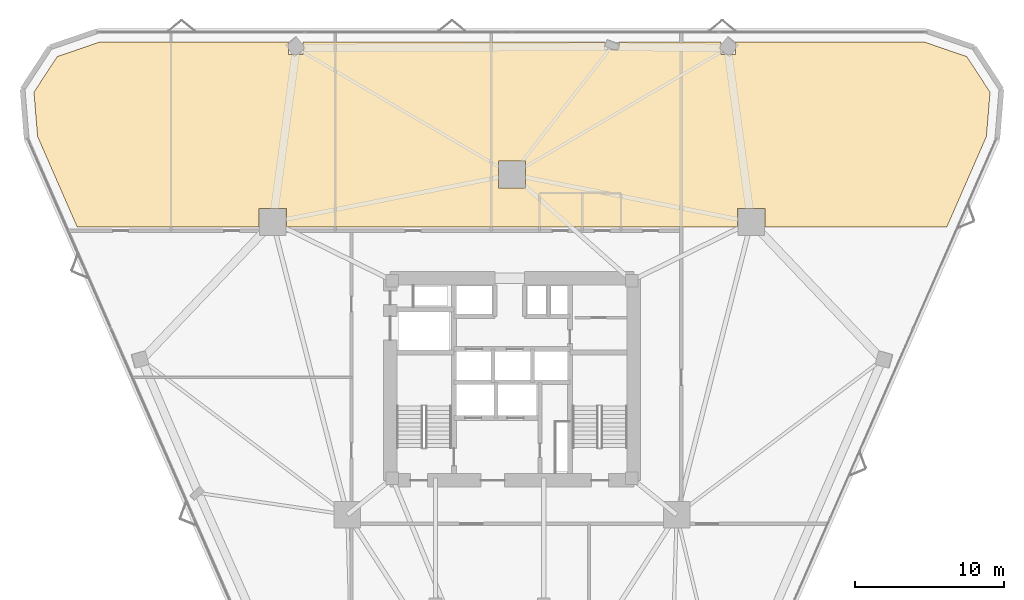
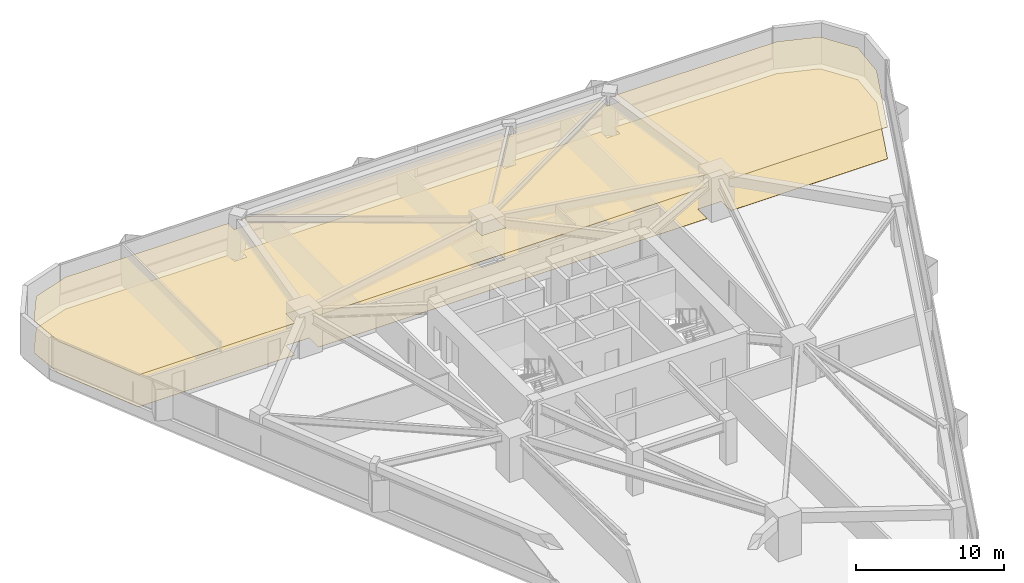
# One storey, part 21 of 21: 2 coverings.
"""IFC4 building model written with IfcOpenShell, lengths in metres."""

from ifc_helpers import new_model, si_unit, direction, frame, origin, place, context, subcontext, project, spatial, polyline, outline, extrude, material, layer, layer_set, type_object, element, save


model = new_model("IFC4")

# Units and contexts
model_context = context("Model", 3, precision=1e-05, world=origin(), true_north=direction((0.0, 1.0)))
body_context = subcontext(model_context, "Body", "Model", "MODEL_VIEW")
ifc_project = project(units=[si_unit("LENGTHUNIT", "METRE"), si_unit("AREAUNIT", "SQUARE_METRE"), si_unit("VOLUMEUNIT", "CUBIC_METRE"), si_unit("PLANEANGLEUNIT", "RADIAN"), si_unit("MASSUNIT", "GRAM", prefix="KILO")], contexts=[model_context])

# Site, building, storey
site_placement = place(None, origin())
site = spatial("IfcSite", under=ifc_project, at=site_placement, CompositionType="ELEMENT")
building_placement = place(site_placement, origin())
building = spatial("IfcBuilding", under=site, at=building_placement, Name="Talyreon Biosciences Tower", CompositionType="ELEMENT")
storey_placement = place(building_placement, frame((0.0, 0.0, 55.64990234375)))
storey = spatial("IfcBuildingStorey", under=building, at=storey_placement, Name="L14", CompositionType="ELEMENT", Elevation=55.64990234375)

# Coverings
ifc_material_1 = material(Name="Cleanable acoustic mineral-fibre ceiling tile", Category="gypsum")
ifc_layer_1 = layer(ifc_material_1, 0.0400390625)
ifc_layer_set_1 = layer_set([ifc_layer_1], Name="Cleanable acoustic mineral-fibre ceiling tile")
covering_type_1 = type_object("IfcCoveringType", Name="AcousticCleanroomCeiling_40", PredefinedType="CEILING", material=ifc_layer_set_1)
covering_1_placement = place(storey_placement, frame((0.0, 0.0, 2.614990234375)))
element("IfcCovering", 1, at=covering_1_placement, inside=storey, type_object=covering_type_1, Name="L14 Acoustic Laboratory Ceiling", PredefinedType="CEILING", context=body_context, shape_type="SweptSolid", body=[
    extrude(outline(polyline([(33.81298828125, 87.337890625), (35.378662109375, 89.732421875), (38.209716796875, 90.703857421875), (50.945068359375, 90.703857421875), (50.945068359375, 89.875), (51.925048828125, 89.875), (51.925048828125, 90.703857421875), (72.25732421875, 90.703857421875), (72.25732421875, 90.22509765625), (73.187255859375, 90.22509765625), (73.187255859375, 90.703857421875), (80.074951171875, 90.703857421875), (80.074951171875, 89.875), (81.054931640625, 89.875), (81.054931640625, 90.703857421875), (93.790283203125, 90.703857421875), (96.621337890625, 89.732421875), (98.18701171875, 87.337890625), (97.94189453125, 84.35498046875), (95.269775390625, 78.25), (83.017333984375, 78.25), (83.017333984375, 79.513671875), (81.1875, 79.513671875), (81.1875, 78.25), (50.8125, 78.25), (50.8125, 79.513671875), (48.982666015625, 79.513671875), (48.982666015625, 78.25), (36.730224609375, 78.25), (34.05810546875, 84.35498046875), (33.81298828125, 87.337890625)]), holes=[polyline([(65.0849609375, 80.873779296875), (66.9150390625, 80.873779296875), (66.9150390625, 82.703857421875), (65.0849609375, 82.703857421875), (65.0849609375, 80.873779296875)])]), origin(), (0.0, 0.0, 1.0), 0.0400390625),
])
ifc_material_2 = material(Name="Chemical-resistant seamless epoxy resin flooring", Category="plastic")
ifc_layer_2 = layer(ifc_material_2, 0.014892578125)
ifc_layer_set_2 = layer_set([ifc_layer_2], Name="Chemical-resistant seamless epoxy resin flooring")
covering_type_2 = type_object("IfcCoveringType", Name="SeamlessEpoxyLabFlooring_15", PredefinedType="FLOORING", material=ifc_layer_set_2)
covering_2_placement = place(storey_placement, origin())
element("IfcCovering", 2, at=covering_2_placement, inside=storey, type_object=covering_type_2, Name="L14 Laboratory Floor Finish", PredefinedType="FLOORING", context=body_context, shape_type="SweptSolid", body=[
    extrude(outline(polyline([(33.81298828125, 87.337890625), (35.378662109375, 89.732421875), (38.209716796875, 90.703857421875), (50.945068359375, 90.703857421875), (50.945068359375, 89.875), (51.925048828125, 89.875), (51.925048828125, 90.703857421875), (72.25732421875, 90.703857421875), (72.25732421875, 90.22509765625), (73.187255859375, 90.22509765625), (73.187255859375, 90.703857421875), (80.074951171875, 90.703857421875), (80.074951171875, 89.875), (81.054931640625, 89.875), (81.054931640625, 90.703857421875), (93.790283203125, 90.703857421875), (96.621337890625, 89.732421875), (98.18701171875, 87.337890625), (97.94189453125, 84.35498046875), (95.269775390625, 78.25), (83.017333984375, 78.25), (83.017333984375, 79.513671875), (81.1875, 79.513671875), (81.1875, 78.25), (50.8125, 78.25), (50.8125, 79.513671875), (48.982666015625, 79.513671875), (48.982666015625, 78.25), (36.730224609375, 78.25), (34.05810546875, 84.35498046875), (33.81298828125, 87.337890625)]), holes=[polyline([(65.0849609375, 80.873779296875), (66.9150390625, 80.873779296875), (66.9150390625, 82.703857421875), (65.0849609375, 82.703857421875), (65.0849609375, 80.873779296875)])]), origin(), (0.0, 0.0, 1.0), 0.01513671875),
])

save(model, "model.ifc")
